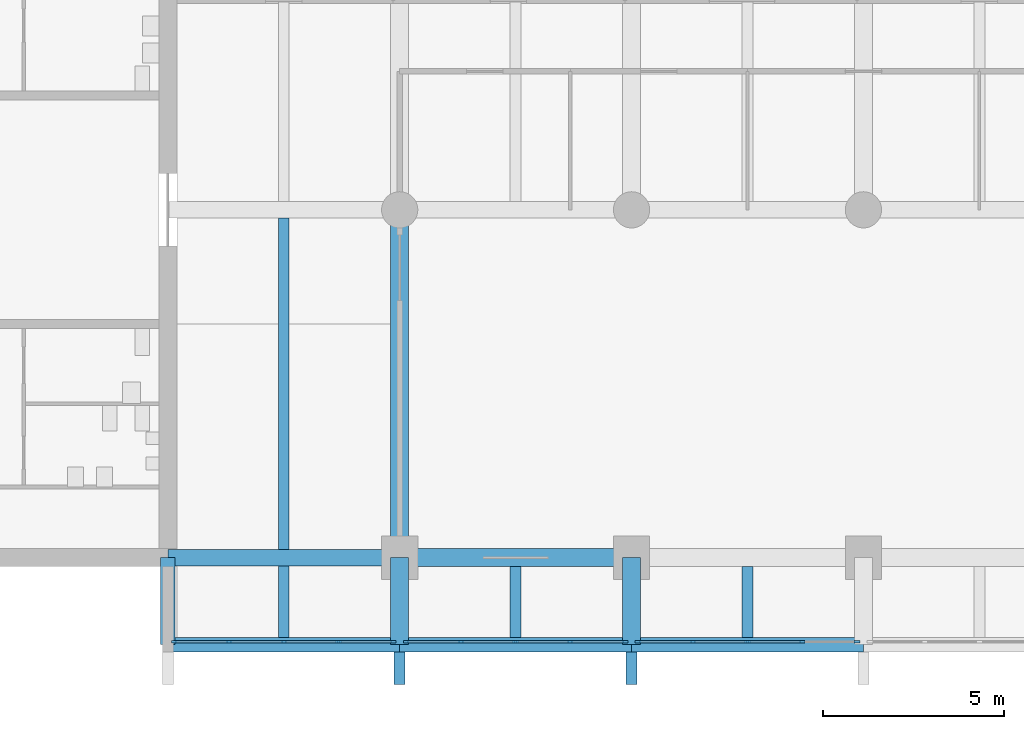
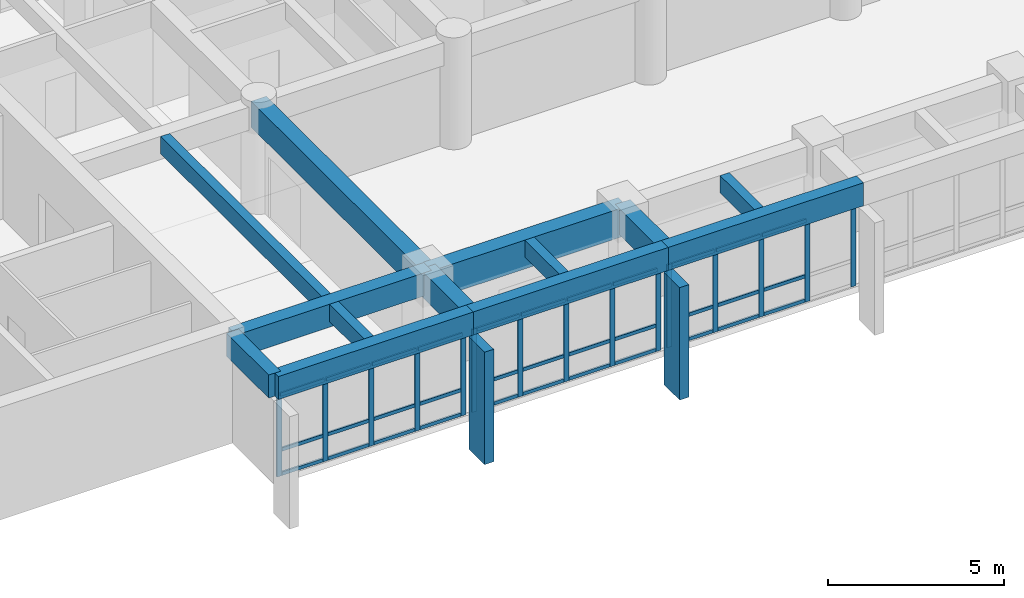
# One storey, part 2 of 15: 50 members, 13 beams, 3 elements without a shape of their own.
"""IFC4 building model written with IfcOpenShell, lengths in metres."""

from ifc_helpers import new_model, si_unit, direction, frame, origin, origin_2d, place, context, subcontext, project, spatial, rectangle, extrude, material, layer, layer_set, material_profile, profile_set, type_object, element, aggregate, save


model = new_model("IFC4")

# Units and contexts
model_context = context("Model", 3, precision=1e-05, world=origin(), true_north=direction((0.0, 1.0)))
body_context = subcontext(model_context, "Body", "Model", "MODEL_VIEW")
ifc_project = project(units=[si_unit("LENGTHUNIT", "METRE"), si_unit("AREAUNIT", "SQUARE_METRE"), si_unit("VOLUMEUNIT", "CUBIC_METRE"), si_unit("PLANEANGLEUNIT", "RADIAN"), si_unit("MASSUNIT", "GRAM", prefix="KILO")], contexts=[model_context])

# Site, building, storey
site_placement = place(None, origin())
site = spatial("IfcSite", under=ifc_project, at=site_placement, CompositionType="ELEMENT")
building_placement = place(site_placement, origin())
building = spatial("IfcBuilding", under=site, at=building_placement, Name="Fogon Plaza Fire Station and Headquarters Tower", CompositionType="ELEMENT")
storey_placement = place(building_placement, frame((0.0, 0.0, 32.699951171875)))
storey = spatial("IfcBuildingStorey", under=building, at=storey_placement, Name="L08", CompositionType="ELEMENT", Elevation=32.699951171875)

# Beams
ifc_material_1 = material(Name="Concrete C40", Category="concrete")
ifc_material_profile_1 = material_profile(ifc_material_1, rectangle(XDim=0.5, YDim=1.0, at=origin_2d()), Name="RC 500x1000")
ifc_profile_set_1 = profile_set([ifc_material_profile_1], Name="Concrete C40")
beam_type_1 = type_object("IfcBeamType", Name="ATRIUM EDGE GIRDER RC 500x1000", PredefinedType="BEAM", material=ifc_profile_set_1)
beam_1_placement = place(storey_placement, frame((32.0, 33.60009765625, 3.179931640625), z_axis=(1.0, 0.0, 0.0), x_axis=(0.0, 1.0, 0.0)))
element("IfcBeam", 1, at=beam_1_placement, inside=storey, type_object=beam_type_1, Name="beam-L08-022", PredefinedType="BEAM", context=body_context, shape_type="SweptSolid", body=[
    extrude(rectangle(XDim=0.5, YDim=1.0, at=origin_2d()), origin(), (0.0, 0.0, 1.0), 6.39990234375),
])
ifc_material_2 = material(Name="Concrete C40", Category="concrete")
ifc_material_profile_2 = material_profile(ifc_material_2, rectangle(XDim=0.39990234375, YDim=0.800048828125, at=origin_2d()), Name="RC 400x800")
ifc_profile_set_2 = profile_set([ifc_material_profile_2], Name="Concrete C40")
beam_type_2 = type_object("IfcBeamType", Name="BEAM RC 400x800", PredefinedType="BEAM", material=ifc_profile_set_2)
for number, where, z_axis, x_axis, name in (
    (2, (25.60009765625, 31.199951171875, 3.280029296875), (1.0, 0.0, 0.0), (0.0, 1.0, 0.0), "beam-L08-039"),
    (3, (32.0, 31.199951171875, 3.280029296875), (1.0, 0.0, 0.0), (0.0, 1.0, 0.0), "beam-L08-040"),
):
    element("IfcBeam", number, at=place(storey_placement, frame(where, z_axis=z_axis, x_axis=x_axis)), inside=storey, type_object=beam_type_2, Name=name, PredefinedType="BEAM", context=body_context, shape_type="SweptSolid", body=[
        extrude(rectangle(XDim=0.39990234375, YDim=0.800048828125, at=origin_2d()), origin(), (0.0, 0.0, 1.0), 6.39990234375),
    ])
beam_2_placement = place(storey_placement, frame((38.39990234375, 31.199951171875, 3.280029296875), z_axis=(1.0, 0.0, 0.0), x_axis=(0.0, 1.0, 0.0)))
element("IfcBeam", 4, at=beam_2_placement, inside=storey, type_object=beam_type_2, Name="beam-L08-041", PredefinedType="BEAM", context=body_context, shape_type="SweptSolid", body=[
    extrude(rectangle(XDim=0.39990234375, YDim=0.800048828125, at=origin_2d()), origin(), (0.0, 0.0, 1.0), 6.400146484375),
])
ifc_material_3 = material(Name="Concrete C40", Category="concrete")
ifc_material_profile_3 = material_profile(ifc_material_3, rectangle(XDim=0.39990234375, YDim=0.800048828125, at=origin_2d()), Name="RC 400x800")
ifc_profile_set_3 = profile_set([ifc_material_profile_3], Name="Concrete C40")
beam_type_3 = type_object("IfcBeamType", Name="BEAM RC 400x800 SPAN 0.0 TO 3.0 M", PredefinedType="BEAM", material=ifc_profile_set_3)
beam_3_placement = place(storey_placement, frame((25.60009765625, 31.199951171875, 3.280029296875), z_axis=(0.0, 1.0, 0.0), x_axis=(-1.0, 0.0, 0.0)))
element("IfcBeam", 5, at=beam_3_placement, inside=storey, type_object=beam_type_3, Name="beam-L08-051", PredefinedType="BEAM", context=body_context, shape_type="SweptSolid", body=[
    extrude(rectangle(XDim=0.39990234375, YDim=0.800048828125, at=origin_2d()), origin(), (0.0, 0.0, 1.0), 2.400146484375),
])
ifc_material_4 = material(Name="Concrete C40", Category="concrete")
ifc_material_profile_4 = material_profile(ifc_material_4, rectangle(XDim=0.449951171875, YDim=0.800048828125, at=origin_2d()), Name="RC 450x800")
ifc_profile_set_4 = profile_set([ifc_material_profile_4], Name="Concrete C40")
beam_type_4 = type_object("IfcBeamType", Name="BEAM RC 450x800", PredefinedType="BEAM", material=ifc_profile_set_4)
beam_4_placement = place(storey_placement, frame((25.60009765625, 33.60009765625, 3.280029296875), z_axis=(1.0, 0.0, 0.0), x_axis=(0.0, 1.0, 0.0)))
element("IfcBeam", 6, at=beam_4_placement, inside=storey, type_object=beam_type_4, Name="beam-L08-021", PredefinedType="BEAM", context=body_context, shape_type="SweptSolid", body=[
    extrude(rectangle(XDim=0.449951171875, YDim=0.800048828125, at=origin_2d()), origin(), (0.0, 0.0, 1.0), 6.39990234375),
])
ifc_material_5 = material(Name="Concrete C40", Category="concrete")
ifc_material_profile_5 = material_profile(ifc_material_5, rectangle(XDim=0.5, YDim=0.89990234375, at=origin_2d()), Name="RC 500x900")
ifc_profile_set_5 = profile_set([ifc_material_profile_5], Name="Concrete C40")
beam_type_5 = type_object("IfcBeamType", Name="BEAM RC 500x900 SPAN 0.0 TO 3.0 M", PredefinedType="BEAM", material=ifc_profile_set_5)
for number, where, z_axis, x_axis, name in (
    (7, (32.0, 31.199951171875, 3.22998046875), (0.0, 1.0, 0.0), (-1.0, 0.0, 0.0), "beam-L08-001"),
    (8, (38.39990234375, 31.199951171875, 3.22998046875), (0.0, 1.0, 0.0), (-1.0, 0.0, 0.0), "beam-L08-005"),
):
    element("IfcBeam", number, at=place(storey_placement, frame(where, z_axis=z_axis, x_axis=x_axis)), inside=storey, type_object=beam_type_5, Name=name, PredefinedType="BEAM", context=body_context, shape_type="SweptSolid", body=[
        extrude(rectangle(XDim=0.5, YDim=0.89990234375, at=origin_2d()), origin(), (0.0, 0.0, 1.0), 2.400146484375),
    ])
ifc_material_6 = material(Name="Concrete C40", Category="concrete")
ifc_material_profile_6 = material_profile(ifc_material_6, rectangle(XDim=0.5, YDim=0.89990234375, at=origin_2d()), Name="RC 500x900")
ifc_profile_set_6 = profile_set([ifc_material_profile_6], Name="Concrete C40")
beam_type_6 = type_object("IfcBeamType", Name="BEAM RC 500x900 SPAN 7.7 TO 12.3 M", PredefinedType="BEAM", material=ifc_profile_set_6)
beam_5_placement = place(storey_placement, frame((32.0, 33.60009765625, 3.22998046875), z_axis=(0.0, 1.0, 0.0), x_axis=(-1.0, 0.0, 0.0)))
element("IfcBeam", 9, at=beam_5_placement, inside=storey, type_object=beam_type_6, Name="beam-L08-002", PredefinedType="BEAM", context=body_context, shape_type="SweptSolid", body=[
    extrude(rectangle(XDim=0.5, YDim=0.89990234375, at=origin_2d()), origin(), (0.0, 0.0, 1.0), 9.599853515625),
])

# Curtain wall, members
ifc_material_7 = material(Name="Aluminium and glass", Category="aluminium")
ifc_layer = layer(ifc_material_7, 0.14990234375)
ifc_layer_set = layer_set([ifc_layer], Name="Aluminium and glass")
curtain_wall_type = type_object("IfcCurtainWallType", Name="Unitised Curtain Wall Run 6100x2880", PredefinedType="NOTDEFINED", material=ifc_layer_set)
curtain_wall_1_placement = place(storey_placement, origin())
curtain_wall_1 = element("IfcCurtainWall", 10, at=curtain_wall_1_placement, inside=storey, type_object=curtain_wall_type, Name="CW-6100x2880 S1 L08", PredefinedType="NOTDEFINED")
ifc_material_8 = material(Name="Aluminium", Category="aluminium")
ifc_material_profile_7 = material_profile(ifc_material_8, rectangle(XDim=0.06005859375, YDim=0.159912109375, at=origin_2d()), Name="Curtain Wall Mullion 60x160")
ifc_profile_set_7 = profile_set([ifc_material_profile_7], Name="Aluminium")
member_type_1 = type_object("IfcMemberType", Name="Curtain Wall Mullion 60x160", PredefinedType="MULLION", material=ifc_profile_set_7)
member_1_placement = place(storey_placement, frame((25.780029296875, 31.280029296875, 0.0), z_axis=(0.0, 0.0, 1.0), x_axis=(0.0, 1.0, 0.0)))
member_1 = element("IfcMember", 11, at=member_1_placement, type_object=member_type_1, Name="CW-6100x2880 mullion 1", PredefinedType="MULLION", context=body_context, shape_type="SweptSolid", body=[
    extrude(rectangle(XDim=0.06005859375, YDim=0.159912109375, at=origin_2d()), origin(), (0.0, 0.0, 1.0), 2.880126953125),
])
member_2_placement = place(storey_placement, frame((27.2900390625, 31.280029296875, 0.0), z_axis=(0.0, 0.0, 1.0), x_axis=(0.0, 1.0, 0.0)))
member_2 = element("IfcMember", 12, at=member_2_placement, type_object=member_type_1, Name="CW-6100x2880 mullion 2", PredefinedType="MULLION", context=body_context, shape_type="SweptSolid", body=[
    extrude(rectangle(XDim=0.06005859375, YDim=0.159912109375, at=origin_2d()), origin(), (0.0, 0.0, 1.0), 2.880126953125),
])
member_3_placement = place(storey_placement, frame((28.800048828125, 31.280029296875, 0.0), z_axis=(0.0, 0.0, 1.0), x_axis=(0.0, 1.0, 0.0)))
member_3 = element("IfcMember", 13, at=member_3_placement, type_object=member_type_1, Name="CW-6100x2880 mullion 3", PredefinedType="MULLION", context=body_context, shape_type="SweptSolid", body=[
    extrude(rectangle(XDim=0.06005859375, YDim=0.159912109375, at=origin_2d()), origin(), (0.0, 0.0, 1.0), 2.880126953125),
])
member_4_placement = place(storey_placement, frame((30.31005859375, 31.280029296875, 0.0), z_axis=(0.0, 0.0, 1.0), x_axis=(0.0, 1.0, 0.0)))
member_4 = element("IfcMember", 14, at=member_4_placement, type_object=member_type_1, Name="CW-6100x2880 mullion 4", PredefinedType="MULLION", context=body_context, shape_type="SweptSolid", body=[
    extrude(rectangle(XDim=0.06005859375, YDim=0.159912109375, at=origin_2d()), origin(), (0.0, 0.0, 1.0), 2.880126953125),
])
member_5_placement = place(storey_placement, frame((31.820068359375, 31.280029296875, 0.0), z_axis=(0.0, 0.0, 1.0), x_axis=(0.0, 1.0, 0.0)))
member_5 = element("IfcMember", 15, at=member_5_placement, type_object=member_type_1, Name="CW-6100x2880 mullion 5", PredefinedType="MULLION", context=body_context, shape_type="SweptSolid", body=[
    extrude(rectangle(XDim=0.06005859375, YDim=0.159912109375, at=origin_2d()), origin(), (0.0, 0.0, 1.0), 2.880126953125),
])

curtain_wall_2_placement = place(storey_placement, origin())
curtain_wall_2 = element("IfcCurtainWall", 16, at=curtain_wall_2_placement, inside=storey, type_object=curtain_wall_type, Name="CW-6100x2880 S2 L08", PredefinedType="NOTDEFINED")
member_6_placement = place(storey_placement, frame((32.179931640625, 31.280029296875, 0.0), z_axis=(0.0, 0.0, 1.0), x_axis=(0.0, 1.0, 0.0)))
member_6 = element("IfcMember", 17, at=member_6_placement, type_object=member_type_1, Name="CW-6100x2880 mullion 1", PredefinedType="MULLION", context=body_context, shape_type="SweptSolid", body=[
    extrude(rectangle(XDim=0.06005859375, YDim=0.159912109375, at=origin_2d()), origin(), (0.0, 0.0, 1.0), 2.880126953125),
])
member_7_placement = place(storey_placement, frame((33.68994140625, 31.280029296875, 0.0), z_axis=(0.0, 0.0, 1.0), x_axis=(0.0, 1.0, 0.0)))
member_7 = element("IfcMember", 18, at=member_7_placement, type_object=member_type_1, Name="CW-6100x2880 mullion 2", PredefinedType="MULLION", context=body_context, shape_type="SweptSolid", body=[
    extrude(rectangle(XDim=0.06005859375, YDim=0.159912109375, at=origin_2d()), origin(), (0.0, 0.0, 1.0), 2.880126953125),
])
member_8_placement = place(storey_placement, frame((35.199951171875, 31.280029296875, 0.0), z_axis=(0.0, 0.0, 1.0), x_axis=(0.0, 1.0, 0.0)))
member_8 = element("IfcMember", 19, at=member_8_placement, type_object=member_type_1, Name="CW-6100x2880 mullion 3", PredefinedType="MULLION", context=body_context, shape_type="SweptSolid", body=[
    extrude(rectangle(XDim=0.06005859375, YDim=0.159912109375, at=origin_2d()), origin(), (0.0, 0.0, 1.0), 2.880126953125),
])
member_9_placement = place(storey_placement, frame((36.7099609375, 31.280029296875, 0.0), z_axis=(0.0, 0.0, 1.0), x_axis=(0.0, 1.0, 0.0)))
member_9 = element("IfcMember", 20, at=member_9_placement, type_object=member_type_1, Name="CW-6100x2880 mullion 4", PredefinedType="MULLION", context=body_context, shape_type="SweptSolid", body=[
    extrude(rectangle(XDim=0.06005859375, YDim=0.159912109375, at=origin_2d()), origin(), (0.0, 0.0, 1.0), 2.880126953125),
])
member_10_placement = place(storey_placement, frame((38.219970703125, 31.280029296875, 0.0), z_axis=(0.0, 0.0, 1.0), x_axis=(0.0, 1.0, 0.0)))
member_10 = element("IfcMember", 21, at=member_10_placement, type_object=member_type_1, Name="CW-6100x2880 mullion 5", PredefinedType="MULLION", context=body_context, shape_type="SweptSolid", body=[
    extrude(rectangle(XDim=0.06005859375, YDim=0.159912109375, at=origin_2d()), origin(), (0.0, 0.0, 1.0), 2.880126953125),
])

curtain_wall_3_placement = place(storey_placement, origin())
curtain_wall_3 = element("IfcCurtainWall", 22, at=curtain_wall_3_placement, inside=storey, type_object=curtain_wall_type, Name="CW-6100x2880 S3 L08", PredefinedType="NOTDEFINED")
member_11_placement = place(storey_placement, frame((38.580078125, 31.280029296875, 0.0), z_axis=(0.0, 0.0, 1.0), x_axis=(0.0, 1.0, 0.0)))
member_11 = element("IfcMember", 23, at=member_11_placement, type_object=member_type_1, Name="CW-6100x2880 mullion 1", PredefinedType="MULLION", context=body_context, shape_type="SweptSolid", body=[
    extrude(rectangle(XDim=0.06005859375, YDim=0.159912109375, at=origin_2d()), origin(), (0.0, 0.0, 1.0), 2.880126953125),
])
member_12_placement = place(storey_placement, frame((40.090087890625, 31.280029296875, 0.0), z_axis=(0.0, 0.0, 1.0), x_axis=(0.0, 1.0, 0.0)))
member_12 = element("IfcMember", 24, at=member_12_placement, type_object=member_type_1, Name="CW-6100x2880 mullion 2", PredefinedType="MULLION", context=body_context, shape_type="SweptSolid", body=[
    extrude(rectangle(XDim=0.06005859375, YDim=0.159912109375, at=origin_2d()), origin(), (0.0, 0.0, 1.0), 2.880126953125),
])
member_13_placement = place(storey_placement, frame((41.60009765625, 31.280029296875, 0.0), z_axis=(0.0, 0.0, 1.0), x_axis=(0.0, 1.0, 0.0)))
member_13 = element("IfcMember", 25, at=member_13_placement, type_object=member_type_1, Name="CW-6100x2880 mullion 3", PredefinedType="MULLION", context=body_context, shape_type="SweptSolid", body=[
    extrude(rectangle(XDim=0.06005859375, YDim=0.159912109375, at=origin_2d()), origin(), (0.0, 0.0, 1.0), 2.880126953125),
])
member_14_placement = place(storey_placement, frame((43.110107421875, 31.280029296875, 0.0), z_axis=(0.0, 0.0, 1.0), x_axis=(0.0, 1.0, 0.0)))
member_14 = element("IfcMember", 26, at=member_14_placement, type_object=member_type_1, Name="CW-6100x2880 mullion 4", PredefinedType="MULLION", context=body_context, shape_type="SweptSolid", body=[
    extrude(rectangle(XDim=0.06005859375, YDim=0.159912109375, at=origin_2d()), origin(), (0.0, 0.0, 1.0), 2.880126953125),
])
member_15_placement = place(storey_placement, frame((44.6201171875, 31.280029296875, 0.0), z_axis=(0.0, 0.0, 1.0), x_axis=(0.0, 1.0, 0.0)))
member_15 = element("IfcMember", 27, at=member_15_placement, type_object=member_type_1, Name="CW-6100x2880 mullion 5", PredefinedType="MULLION", context=body_context, shape_type="SweptSolid", body=[
    extrude(rectangle(XDim=0.06005859375, YDim=0.159912109375, at=origin_2d()), origin(), (0.0, 0.0, 1.0), 2.880126953125),
])

# Member
ifc_material_9 = material(Name="Aluminium", Category="aluminium")
ifc_material_profile_8 = material_profile(ifc_material_9, rectangle(XDim=0.06005859375, YDim=0.1201171875, at=origin_2d()), Name="Curtain Wall Transom 60x120")
ifc_profile_set_8 = profile_set([ifc_material_profile_8], Name="Aluminium")
member_type_2 = type_object("IfcMemberType", Name="Curtain Wall Transom 60x120", PredefinedType="USERDEFINED", material=ifc_profile_set_8)
member_16_placement = place(storey_placement, frame((25.81005859375, 31.280029296875, 0.06005859375), z_axis=(1.0, 0.0, 0.0), x_axis=(0.0, 1.0, 0.0)))
member_16 = element("IfcMember", 28, at=member_16_placement, type_object=member_type_2, Name="CW-6100x2880 transom 1.1", ObjectType="TRANSOM", PredefinedType="USERDEFINED", context=body_context, shape_type="SweptSolid", body=[
    extrude(rectangle(XDim=0.06005859375, YDim=0.1201171875, at=origin_2d()), origin(), (0.0, 0.0, 1.0), 1.449951171875),
])

member_17_placement = place(storey_placement, frame((25.81005859375, 31.280029296875, 0.900146484375), z_axis=(1.0, 0.0, 0.0), x_axis=(0.0, 1.0, 0.0)))
member_17 = element("IfcMember", 29, at=member_17_placement, type_object=member_type_2, Name="CW-6100x2880 transom 1.2", ObjectType="TRANSOM", PredefinedType="USERDEFINED", context=body_context, shape_type="SweptSolid", body=[
    extrude(rectangle(XDim=0.06005859375, YDim=0.1201171875, at=origin_2d()), origin(), (0.0, 0.0, 1.0), 1.449951171875),
])

member_18_placement = place(storey_placement, frame((25.81005859375, 31.280029296875, 2.820068359375), z_axis=(1.0, 0.0, 0.0), x_axis=(0.0, 1.0, 0.0)))
member_18 = element("IfcMember", 30, at=member_18_placement, type_object=member_type_2, Name="CW-6100x2880 transom 1.3", ObjectType="TRANSOM", PredefinedType="USERDEFINED", context=body_context, shape_type="SweptSolid", body=[
    extrude(rectangle(XDim=0.06005859375, YDim=0.1201171875, at=origin_2d()), origin(), (0.0, 0.0, 1.0), 1.449951171875),
])

member_19_placement = place(storey_placement, frame((27.320068359375, 31.280029296875, 0.06005859375), z_axis=(1.0, 0.0, 0.0), x_axis=(0.0, 1.0, 0.0)))
member_19 = element("IfcMember", 31, at=member_19_placement, type_object=member_type_2, Name="CW-6100x2880 transom 2.1", ObjectType="TRANSOM", PredefinedType="USERDEFINED", context=body_context, shape_type="SweptSolid", body=[
    extrude(rectangle(XDim=0.06005859375, YDim=0.1201171875, at=origin_2d()), origin(), (0.0, 0.0, 1.0), 1.449951171875),
])

member_20_placement = place(storey_placement, frame((27.320068359375, 31.280029296875, 0.900146484375), z_axis=(1.0, 0.0, 0.0), x_axis=(0.0, 1.0, 0.0)))
member_20 = element("IfcMember", 32, at=member_20_placement, type_object=member_type_2, Name="CW-6100x2880 transom 2.2", ObjectType="TRANSOM", PredefinedType="USERDEFINED", context=body_context, shape_type="SweptSolid", body=[
    extrude(rectangle(XDim=0.06005859375, YDim=0.1201171875, at=origin_2d()), origin(), (0.0, 0.0, 1.0), 1.449951171875),
])

member_21_placement = place(storey_placement, frame((27.320068359375, 31.280029296875, 2.820068359375), z_axis=(1.0, 0.0, 0.0), x_axis=(0.0, 1.0, 0.0)))
member_21 = element("IfcMember", 33, at=member_21_placement, type_object=member_type_2, Name="CW-6100x2880 transom 2.3", ObjectType="TRANSOM", PredefinedType="USERDEFINED", context=body_context, shape_type="SweptSolid", body=[
    extrude(rectangle(XDim=0.06005859375, YDim=0.1201171875, at=origin_2d()), origin(), (0.0, 0.0, 1.0), 1.449951171875),
])

member_22_placement = place(storey_placement, frame((28.830078125, 31.280029296875, 0.06005859375), z_axis=(1.0, 0.0, 0.0), x_axis=(0.0, 1.0, 0.0)))
member_22 = element("IfcMember", 34, at=member_22_placement, type_object=member_type_2, Name="CW-6100x2880 transom 3.1", ObjectType="TRANSOM", PredefinedType="USERDEFINED", context=body_context, shape_type="SweptSolid", body=[
    extrude(rectangle(XDim=0.06005859375, YDim=0.1201171875, at=origin_2d()), origin(), (0.0, 0.0, 1.0), 1.449951171875),
])

member_23_placement = place(storey_placement, frame((28.830078125, 31.280029296875, 0.900146484375), z_axis=(1.0, 0.0, 0.0), x_axis=(0.0, 1.0, 0.0)))
member_23 = element("IfcMember", 35, at=member_23_placement, type_object=member_type_2, Name="CW-6100x2880 transom 3.2", ObjectType="TRANSOM", PredefinedType="USERDEFINED", context=body_context, shape_type="SweptSolid", body=[
    extrude(rectangle(XDim=0.06005859375, YDim=0.1201171875, at=origin_2d()), origin(), (0.0, 0.0, 1.0), 1.449951171875),
])

member_24_placement = place(storey_placement, frame((28.830078125, 31.280029296875, 2.820068359375), z_axis=(1.0, 0.0, 0.0), x_axis=(0.0, 1.0, 0.0)))
member_24 = element("IfcMember", 36, at=member_24_placement, type_object=member_type_2, Name="CW-6100x2880 transom 3.3", ObjectType="TRANSOM", PredefinedType="USERDEFINED", context=body_context, shape_type="SweptSolid", body=[
    extrude(rectangle(XDim=0.06005859375, YDim=0.1201171875, at=origin_2d()), origin(), (0.0, 0.0, 1.0), 1.449951171875),
])

member_25_placement = place(storey_placement, frame((30.340087890625, 31.280029296875, 0.06005859375), z_axis=(1.0, 0.0, 0.0), x_axis=(0.0, 1.0, 0.0)))
member_25 = element("IfcMember", 37, at=member_25_placement, type_object=member_type_2, Name="CW-6100x2880 transom 4.1", ObjectType="TRANSOM", PredefinedType="USERDEFINED", context=body_context, shape_type="SweptSolid", body=[
    extrude(rectangle(XDim=0.06005859375, YDim=0.1201171875, at=origin_2d()), origin(), (0.0, 0.0, 1.0), 1.449951171875),
])

member_26_placement = place(storey_placement, frame((30.340087890625, 31.280029296875, 0.900146484375), z_axis=(1.0, 0.0, 0.0), x_axis=(0.0, 1.0, 0.0)))
member_26 = element("IfcMember", 38, at=member_26_placement, type_object=member_type_2, Name="CW-6100x2880 transom 4.2", ObjectType="TRANSOM", PredefinedType="USERDEFINED", context=body_context, shape_type="SweptSolid", body=[
    extrude(rectangle(XDim=0.06005859375, YDim=0.1201171875, at=origin_2d()), origin(), (0.0, 0.0, 1.0), 1.449951171875),
])

member_27_placement = place(storey_placement, frame((30.340087890625, 31.280029296875, 2.820068359375), z_axis=(1.0, 0.0, 0.0), x_axis=(0.0, 1.0, 0.0)))
member_27 = element("IfcMember", 39, at=member_27_placement, type_object=member_type_2, Name="CW-6100x2880 transom 4.3", ObjectType="TRANSOM", PredefinedType="USERDEFINED", context=body_context, shape_type="SweptSolid", body=[
    extrude(rectangle(XDim=0.06005859375, YDim=0.1201171875, at=origin_2d()), origin(), (0.0, 0.0, 1.0), 1.449951171875),
])

aggregate(curtain_wall_1, [member_1, member_2, member_3, member_4, member_5, member_16, member_17, member_18, member_19, member_20, member_21, member_22, member_23, member_24, member_25, member_26, member_27])

member_28_placement = place(storey_placement, frame((32.2099609375, 31.280029296875, 0.06005859375), z_axis=(1.0, 0.0, 0.0), x_axis=(0.0, 1.0, 0.0)))
member_28 = element("IfcMember", 40, at=member_28_placement, type_object=member_type_2, Name="CW-6100x2880 transom 1.1", ObjectType="TRANSOM", PredefinedType="USERDEFINED", context=body_context, shape_type="SweptSolid", body=[
    extrude(rectangle(XDim=0.06005859375, YDim=0.1201171875, at=origin_2d()), origin(), (0.0, 0.0, 1.0), 1.449951171875),
])

member_29_placement = place(storey_placement, frame((32.2099609375, 31.280029296875, 0.900146484375), z_axis=(1.0, 0.0, 0.0), x_axis=(0.0, 1.0, 0.0)))
member_29 = element("IfcMember", 41, at=member_29_placement, type_object=member_type_2, Name="CW-6100x2880 transom 1.2", ObjectType="TRANSOM", PredefinedType="USERDEFINED", context=body_context, shape_type="SweptSolid", body=[
    extrude(rectangle(XDim=0.06005859375, YDim=0.1201171875, at=origin_2d()), origin(), (0.0, 0.0, 1.0), 1.449951171875),
])

member_30_placement = place(storey_placement, frame((32.2099609375, 31.280029296875, 2.820068359375), z_axis=(1.0, 0.0, 0.0), x_axis=(0.0, 1.0, 0.0)))
member_30 = element("IfcMember", 42, at=member_30_placement, type_object=member_type_2, Name="CW-6100x2880 transom 1.3", ObjectType="TRANSOM", PredefinedType="USERDEFINED", context=body_context, shape_type="SweptSolid", body=[
    extrude(rectangle(XDim=0.06005859375, YDim=0.1201171875, at=origin_2d()), origin(), (0.0, 0.0, 1.0), 1.449951171875),
])

member_31_placement = place(storey_placement, frame((33.719970703125, 31.280029296875, 0.06005859375), z_axis=(1.0, 0.0, 0.0), x_axis=(0.0, 1.0, 0.0)))
member_31 = element("IfcMember", 43, at=member_31_placement, type_object=member_type_2, Name="CW-6100x2880 transom 2.1", ObjectType="TRANSOM", PredefinedType="USERDEFINED", context=body_context, shape_type="SweptSolid", body=[
    extrude(rectangle(XDim=0.06005859375, YDim=0.1201171875, at=origin_2d()), origin(), (0.0, 0.0, 1.0), 1.449951171875),
])

member_32_placement = place(storey_placement, frame((33.719970703125, 31.280029296875, 0.900146484375), z_axis=(1.0, 0.0, 0.0), x_axis=(0.0, 1.0, 0.0)))
member_32 = element("IfcMember", 44, at=member_32_placement, type_object=member_type_2, Name="CW-6100x2880 transom 2.2", ObjectType="TRANSOM", PredefinedType="USERDEFINED", context=body_context, shape_type="SweptSolid", body=[
    extrude(rectangle(XDim=0.06005859375, YDim=0.1201171875, at=origin_2d()), origin(), (0.0, 0.0, 1.0), 1.449951171875),
])

member_33_placement = place(storey_placement, frame((33.719970703125, 31.280029296875, 2.820068359375), z_axis=(1.0, 0.0, 0.0), x_axis=(0.0, 1.0, 0.0)))
member_33 = element("IfcMember", 45, at=member_33_placement, type_object=member_type_2, Name="CW-6100x2880 transom 2.3", ObjectType="TRANSOM", PredefinedType="USERDEFINED", context=body_context, shape_type="SweptSolid", body=[
    extrude(rectangle(XDim=0.06005859375, YDim=0.1201171875, at=origin_2d()), origin(), (0.0, 0.0, 1.0), 1.449951171875),
])

member_34_placement = place(storey_placement, frame((35.22998046875, 31.280029296875, 0.06005859375), z_axis=(1.0, 0.0, 0.0), x_axis=(0.0, 1.0, 0.0)))
member_34 = element("IfcMember", 46, at=member_34_placement, type_object=member_type_2, Name="CW-6100x2880 transom 3.1", ObjectType="TRANSOM", PredefinedType="USERDEFINED", context=body_context, shape_type="SweptSolid", body=[
    extrude(rectangle(XDim=0.06005859375, YDim=0.1201171875, at=origin_2d()), origin(), (0.0, 0.0, 1.0), 1.449951171875),
])

member_35_placement = place(storey_placement, frame((35.22998046875, 31.280029296875, 0.900146484375), z_axis=(1.0, 0.0, 0.0), x_axis=(0.0, 1.0, 0.0)))
member_35 = element("IfcMember", 47, at=member_35_placement, type_object=member_type_2, Name="CW-6100x2880 transom 3.2", ObjectType="TRANSOM", PredefinedType="USERDEFINED", context=body_context, shape_type="SweptSolid", body=[
    extrude(rectangle(XDim=0.06005859375, YDim=0.1201171875, at=origin_2d()), origin(), (0.0, 0.0, 1.0), 1.449951171875),
])

member_36_placement = place(storey_placement, frame((35.22998046875, 31.280029296875, 2.820068359375), z_axis=(1.0, 0.0, 0.0), x_axis=(0.0, 1.0, 0.0)))
member_36 = element("IfcMember", 48, at=member_36_placement, type_object=member_type_2, Name="CW-6100x2880 transom 3.3", ObjectType="TRANSOM", PredefinedType="USERDEFINED", context=body_context, shape_type="SweptSolid", body=[
    extrude(rectangle(XDim=0.06005859375, YDim=0.1201171875, at=origin_2d()), origin(), (0.0, 0.0, 1.0), 1.449951171875),
])

member_37_placement = place(storey_placement, frame((36.739990234375, 31.280029296875, 0.06005859375), z_axis=(1.0, 0.0, 0.0), x_axis=(0.0, 1.0, 0.0)))
member_37 = element("IfcMember", 49, at=member_37_placement, type_object=member_type_2, Name="CW-6100x2880 transom 4.1", ObjectType="TRANSOM", PredefinedType="USERDEFINED", context=body_context, shape_type="SweptSolid", body=[
    extrude(rectangle(XDim=0.06005859375, YDim=0.1201171875, at=origin_2d()), origin(), (0.0, 0.0, 1.0), 1.449951171875),
])

member_38_placement = place(storey_placement, frame((36.739990234375, 31.280029296875, 0.900146484375), z_axis=(1.0, 0.0, 0.0), x_axis=(0.0, 1.0, 0.0)))
member_38 = element("IfcMember", 50, at=member_38_placement, type_object=member_type_2, Name="CW-6100x2880 transom 4.2", ObjectType="TRANSOM", PredefinedType="USERDEFINED", context=body_context, shape_type="SweptSolid", body=[
    extrude(rectangle(XDim=0.06005859375, YDim=0.1201171875, at=origin_2d()), origin(), (0.0, 0.0, 1.0), 1.449951171875),
])

member_39_placement = place(storey_placement, frame((36.739990234375, 31.280029296875, 2.820068359375), z_axis=(1.0, 0.0, 0.0), x_axis=(0.0, 1.0, 0.0)))
member_39 = element("IfcMember", 51, at=member_39_placement, type_object=member_type_2, Name="CW-6100x2880 transom 4.3", ObjectType="TRANSOM", PredefinedType="USERDEFINED", context=body_context, shape_type="SweptSolid", body=[
    extrude(rectangle(XDim=0.06005859375, YDim=0.1201171875, at=origin_2d()), origin(), (0.0, 0.0, 1.0), 1.449951171875),
])

aggregate(curtain_wall_2, [member_6, member_7, member_8, member_9, member_10, member_28, member_29, member_30, member_31, member_32, member_33, member_34, member_35, member_36, member_37, member_38, member_39])

member_40_placement = place(storey_placement, frame((38.610107421875, 31.280029296875, 0.06005859375), z_axis=(1.0, 0.0, 0.0), x_axis=(0.0, 1.0, 0.0)))
member_40 = element("IfcMember", 52, at=member_40_placement, type_object=member_type_2, Name="CW-6100x2880 transom 1.1", ObjectType="TRANSOM", PredefinedType="USERDEFINED", context=body_context, shape_type="SweptSolid", body=[
    extrude(rectangle(XDim=0.06005859375, YDim=0.1201171875, at=origin_2d()), origin(), (0.0, 0.0, 1.0), 1.449951171875),
])

member_41_placement = place(storey_placement, frame((38.610107421875, 31.280029296875, 0.900146484375), z_axis=(1.0, 0.0, 0.0), x_axis=(0.0, 1.0, 0.0)))
member_41 = element("IfcMember", 53, at=member_41_placement, type_object=member_type_2, Name="CW-6100x2880 transom 1.2", ObjectType="TRANSOM", PredefinedType="USERDEFINED", context=body_context, shape_type="SweptSolid", body=[
    extrude(rectangle(XDim=0.06005859375, YDim=0.1201171875, at=origin_2d()), origin(), (0.0, 0.0, 1.0), 1.449951171875),
])

member_42_placement = place(storey_placement, frame((38.610107421875, 31.280029296875, 2.820068359375), z_axis=(1.0, 0.0, 0.0), x_axis=(0.0, 1.0, 0.0)))
member_42 = element("IfcMember", 54, at=member_42_placement, type_object=member_type_2, Name="CW-6100x2880 transom 1.3", ObjectType="TRANSOM", PredefinedType="USERDEFINED", context=body_context, shape_type="SweptSolid", body=[
    extrude(rectangle(XDim=0.06005859375, YDim=0.1201171875, at=origin_2d()), origin(), (0.0, 0.0, 1.0), 1.449951171875),
])

member_43_placement = place(storey_placement, frame((40.1201171875, 31.280029296875, 0.06005859375), z_axis=(1.0, 0.0, 0.0), x_axis=(0.0, 1.0, 0.0)))
member_43 = element("IfcMember", 55, at=member_43_placement, type_object=member_type_2, Name="CW-6100x2880 transom 2.1", ObjectType="TRANSOM", PredefinedType="USERDEFINED", context=body_context, shape_type="SweptSolid", body=[
    extrude(rectangle(XDim=0.06005859375, YDim=0.1201171875, at=origin_2d()), origin(), (0.0, 0.0, 1.0), 1.449951171875),
])

member_44_placement = place(storey_placement, frame((40.1201171875, 31.280029296875, 0.900146484375), z_axis=(1.0, 0.0, 0.0), x_axis=(0.0, 1.0, 0.0)))
member_44 = element("IfcMember", 56, at=member_44_placement, type_object=member_type_2, Name="CW-6100x2880 transom 2.2", ObjectType="TRANSOM", PredefinedType="USERDEFINED", context=body_context, shape_type="SweptSolid", body=[
    extrude(rectangle(XDim=0.06005859375, YDim=0.1201171875, at=origin_2d()), origin(), (0.0, 0.0, 1.0), 1.449951171875),
])

member_45_placement = place(storey_placement, frame((40.1201171875, 31.280029296875, 2.820068359375), z_axis=(1.0, 0.0, 0.0), x_axis=(0.0, 1.0, 0.0)))
member_45 = element("IfcMember", 57, at=member_45_placement, type_object=member_type_2, Name="CW-6100x2880 transom 2.3", ObjectType="TRANSOM", PredefinedType="USERDEFINED", context=body_context, shape_type="SweptSolid", body=[
    extrude(rectangle(XDim=0.06005859375, YDim=0.1201171875, at=origin_2d()), origin(), (0.0, 0.0, 1.0), 1.449951171875),
])

member_46_placement = place(storey_placement, frame((41.6298828125, 31.280029296875, 0.06005859375), z_axis=(1.0, 0.0, 0.0), x_axis=(0.0, 1.0, 0.0)))
member_46 = element("IfcMember", 58, at=member_46_placement, type_object=member_type_2, Name="CW-6100x2880 transom 3.1", ObjectType="TRANSOM", PredefinedType="USERDEFINED", context=body_context, shape_type="SweptSolid", body=[
    extrude(rectangle(XDim=0.06005859375, YDim=0.1201171875, at=origin_2d()), origin(), (0.0, 0.0, 1.0), 1.4501953125),
])

member_47_placement = place(storey_placement, frame((41.6298828125, 31.280029296875, 0.900146484375), z_axis=(1.0, 0.0, 0.0), x_axis=(0.0, 1.0, 0.0)))
member_47 = element("IfcMember", 59, at=member_47_placement, type_object=member_type_2, Name="CW-6100x2880 transom 3.2", ObjectType="TRANSOM", PredefinedType="USERDEFINED", context=body_context, shape_type="SweptSolid", body=[
    extrude(rectangle(XDim=0.06005859375, YDim=0.1201171875, at=origin_2d()), origin(), (0.0, 0.0, 1.0), 1.4501953125),
])

member_48_placement = place(storey_placement, frame((41.6298828125, 31.280029296875, 2.820068359375), z_axis=(1.0, 0.0, 0.0), x_axis=(0.0, 1.0, 0.0)))
member_48 = element("IfcMember", 60, at=member_48_placement, type_object=member_type_2, Name="CW-6100x2880 transom 3.3", ObjectType="TRANSOM", PredefinedType="USERDEFINED", context=body_context, shape_type="SweptSolid", body=[
    extrude(rectangle(XDim=0.06005859375, YDim=0.1201171875, at=origin_2d()), origin(), (0.0, 0.0, 1.0), 1.4501953125),
])

aggregate(curtain_wall_3, [member_11, member_12, member_13, member_14, member_15, member_40, member_41, member_42, member_43, member_44, member_45, member_46, member_47, member_48])

# Beams
ifc_material_10 = material(Name="Concrete C40", Category="concrete")
ifc_material_profile_9 = material_profile(ifc_material_10, rectangle(XDim=0.300048828125, YDim=0.60009765625, at=origin_2d()), Name="RC 300x600")
ifc_profile_set_9 = profile_set([ifc_material_profile_9], Name="Concrete C40")
beam_type_7 = type_object("IfcBeamType", Name="JOIST RC 300x600", PredefinedType="JOIST", material=ifc_profile_set_9)
beam_6_placement = place(storey_placement, frame((28.800048828125, 33.824951171875, 3.380126953125), z_axis=(0.0, 1.0, 0.0), x_axis=(-1.0, 0.0, 0.0)))
element("IfcBeam", 61, at=beam_6_placement, inside=storey, type_object=beam_type_7, Name="beam-L08-056", PredefinedType="JOIST", context=body_context, shape_type="SweptSolid", body=[
    extrude(rectangle(XDim=0.300048828125, YDim=0.60009765625, at=origin_2d()), origin(), (0.0, 0.0, 1.0), 9.150146484375),
])
ifc_material_11 = material(Name="Concrete C40", Category="concrete")
ifc_material_profile_10 = material_profile(ifc_material_11, rectangle(XDim=0.300048828125, YDim=0.60009765625, at=origin_2d()), Name="RC 300x600")
ifc_profile_set_10 = profile_set([ifc_material_profile_10], Name="Concrete C40")
beam_type_8 = type_object("IfcBeamType", Name="JOIST RC 300x600 SPAN 0.0 TO 3.0 M", PredefinedType="JOIST", material=ifc_profile_set_10)
beam_7_placement = place(storey_placement, frame((28.800048828125, 31.39990234375, 3.380126953125), z_axis=(0.0, 1.0, 0.0), x_axis=(-1.0, 0.0, 0.0)))
element("IfcBeam", 62, at=beam_7_placement, inside=storey, type_object=beam_type_8, Name="beam-L08-055", PredefinedType="JOIST", context=body_context, shape_type="SweptSolid", body=[
    extrude(rectangle(XDim=0.300048828125, YDim=0.60009765625, at=origin_2d()), origin(), (0.0, 0.0, 1.0), 1.97509765625),
])
for number, where, z_axis, x_axis, name in (
    (63, (35.199951171875, 31.39990234375, 3.380126953125), (0.0, 1.0, 0.0), (-1.0, 0.0, 0.0), "beam-L08-059"),
    (64, (41.60009765625, 31.39990234375, 3.380126953125), (0.0, 1.0, 0.0), (-1.0, 0.0, 0.0), "beam-L08-063"),
):
    element("IfcBeam", number, at=place(storey_placement, frame(where, z_axis=z_axis, x_axis=x_axis)), inside=storey, type_object=beam_type_8, Name=name, PredefinedType="JOIST", context=body_context, shape_type="SweptSolid", body=[
        extrude(rectangle(XDim=0.300048828125, YDim=0.60009765625, at=origin_2d()), origin(), (0.0, 0.0, 1.0), 1.9501953125),
    ])

# Members
ifc_material_12 = material(Name="Concrete C40 precast", Category="concrete")
ifc_material_profile_11 = material_profile(ifc_material_12, rectangle(XDim=0.300048828125, YDim=0.89990234375, at=origin_2d()), Name="Precast Concrete Post 300x900")
ifc_profile_set_11 = profile_set([ifc_material_profile_11], Name="Concrete C40 precast")
member_type_3 = type_object("IfcMemberType", Name="Precast Concrete Post 300x900", PredefinedType="POST", material=ifc_profile_set_11)
for number, where, z_axis, x_axis, name in (
    (65, (32.0, 30.550048828125, -1.02001953125), (0.0, 0.0, 1.0), (1.0, 0.0, 0.0), "Precast Post S L08"),
    (66, (38.39990234375, 30.550048828125, -1.02001953125), (0.0, 0.0, 1.0), (1.0, 0.0, 0.0), "Precast Post S L08"),
):
    element("IfcMember", number, at=place(storey_placement, frame(where, z_axis=z_axis, x_axis=x_axis)), inside=storey, type_object=member_type_3, Name=name, PredefinedType="POST", context=body_context, shape_type="SweptSolid", body=[
        extrude(rectangle(XDim=0.300048828125, YDim=0.89990234375, at=origin_2d()), origin(), (0.0, 0.0, 1.0), 3.900146484375),
    ])

save(model, "model.ifc")
